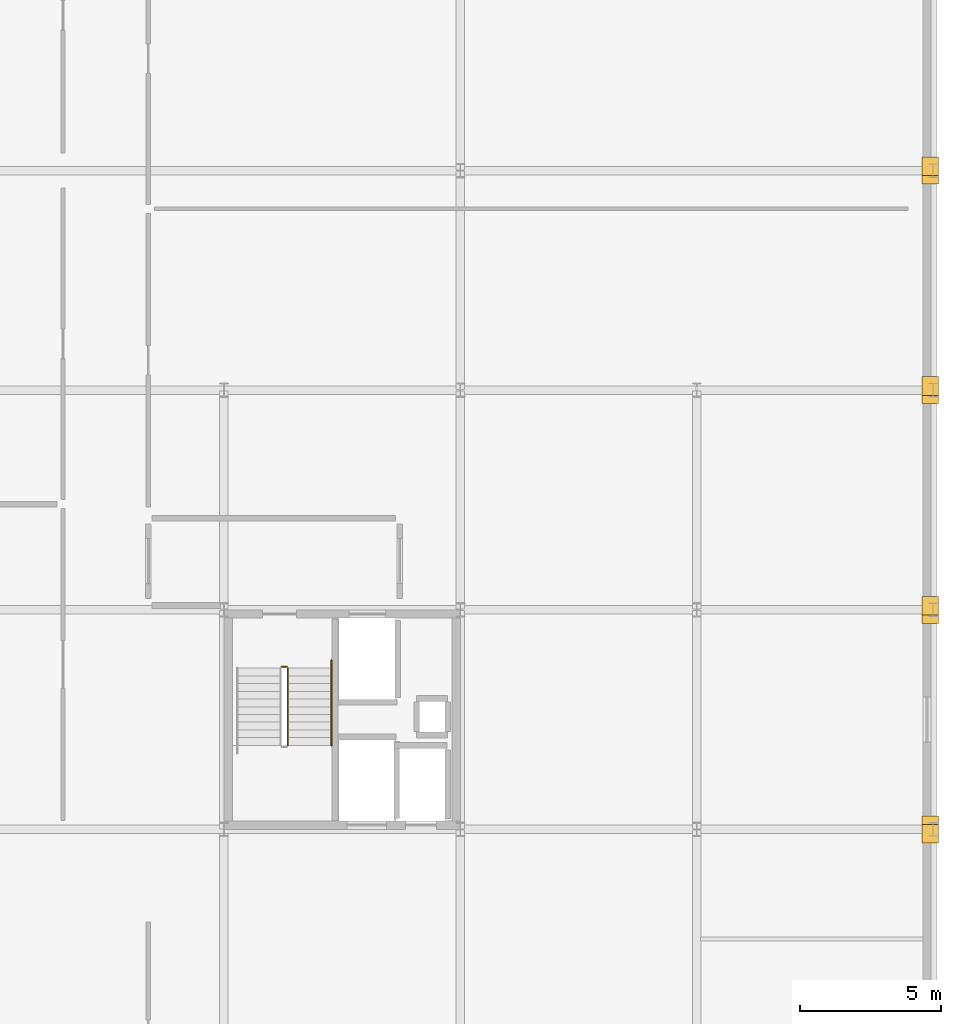
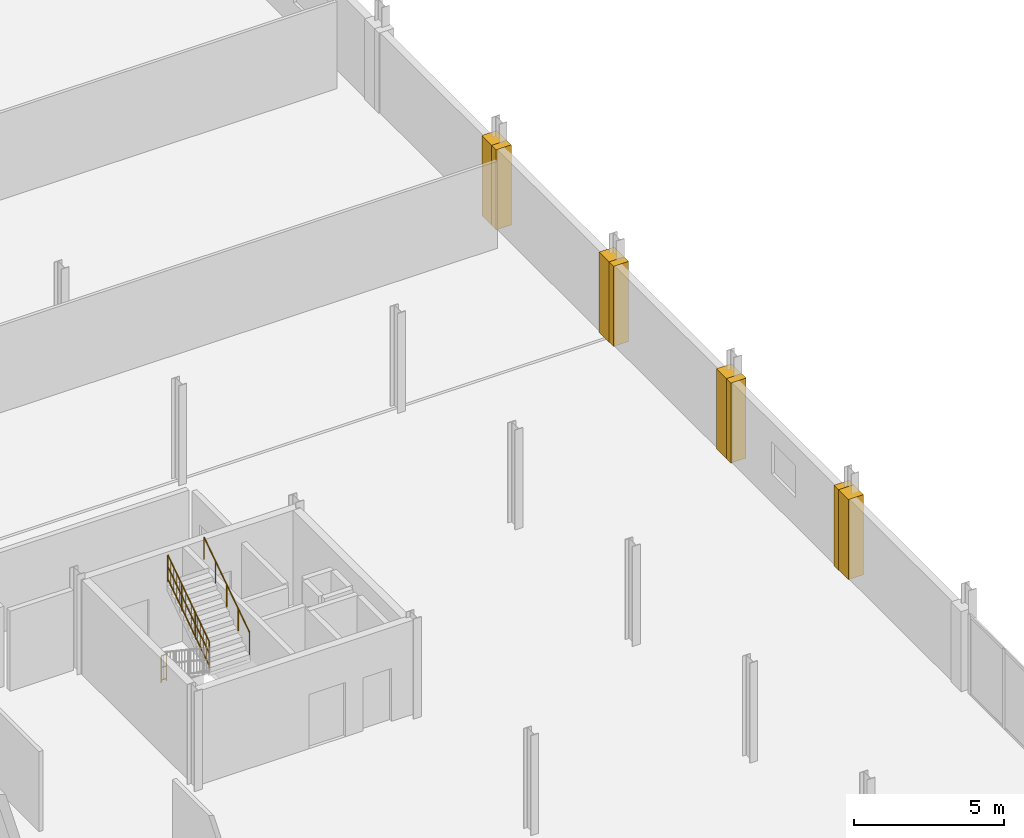
# One storey, part 40 of 41: 8 coverings, 3 railings.
"""IFC4 building model written with IfcOpenShell, lengths in metres."""

from ifc_helpers import new_model, si_unit, direction, frame, origin, origin_2d, place, context, subcontext, project, spatial, polyline, circle, outline, extrude, material, layer, layer_set, type_object, element, save


model = new_model("IFC4")

# Units and contexts
model_context = context("Model", 3, precision=1e-05, world=origin(), true_north=direction((0.0, 1.0)))
body_context = subcontext(model_context, "Body", "Model", "MODEL_VIEW")
ifc_project = project(units=[si_unit("LENGTHUNIT", "METRE"), si_unit("AREAUNIT", "SQUARE_METRE"), si_unit("VOLUMEUNIT", "CUBIC_METRE"), si_unit("PLANEANGLEUNIT", "RADIAN"), si_unit("MASSUNIT", "GRAM", prefix="KILO")], contexts=[model_context])

# Site, building, storey
site_placement = place(None, origin())
site = spatial("IfcSite", under=ifc_project, at=site_placement, CompositionType="ELEMENT")
building_placement = place(site_placement, origin())
building = spatial("IfcBuilding", under=site, at=building_placement, Name="Nabrawat Pavilion Hospital", CompositionType="ELEMENT")
storey_placement = place(building_placement, frame((0.0, 0.0, 18.89990234375)))
storey = spatial("IfcBuildingStorey", under=building, at=storey_placement, Name="L04", CompositionType="ELEMENT", Elevation=18.89990234375)

# Coverings
ifc_material_1 = material(Name="Precast concrete C40/50", Category="concrete")
ifc_layer_1 = layer(ifc_material_1, 0.360107421875, Name="Precast concrete C40/50")
ifc_layer_set_1 = layer_set([ifc_layer_1], Name="Precast concrete C40/50")
covering_type = type_object("IfcCoveringType", Name="Architectural Precast Column-Jamb Closure Reveal", PredefinedType="CLADDING", material=ifc_layer_set_1)
covering_1_placement = place(storey_placement, origin())
element("IfcCovering", 1, at=covering_1_placement, inside=storey, type_object=covering_type, Name="L04 Precast Facade Column-Jamb Weatherseal Closure 0568", PredefinedType="CLADDING", context=body_context, shape_type="SweptSolid", body=[
    extrude(outline(polyline([(193.3798828125, 69.719970703125), (193.3798828125, 70.3798828125), (192.800048828125, 70.3798828125), (192.800048828125, 69.719970703125), (193.3798828125, 69.719970703125)])), origin(), (0.0, 0.0, 1.0), 3.25),
])
covering_2_placement = place(storey_placement, origin())
element("IfcCovering", 2, at=covering_2_placement, inside=storey, type_object=covering_type, Name="L04 Precast Facade Column-Jamb Weatherseal Closure 0569", PredefinedType="CLADDING", context=body_context, shape_type="SweptSolid", body=[
    extrude(outline(polyline([(193.3798828125, 70.02001953125), (193.3798828125, 70.679931640625), (192.800048828125, 70.679931640625), (192.800048828125, 70.02001953125), (193.3798828125, 70.02001953125)])), origin(), (0.0, 0.0, 1.0), 3.25),
])
covering_3_placement = place(storey_placement, origin())
element("IfcCovering", 3, at=covering_3_placement, inside=storey, type_object=covering_type, Name="L04 Precast Facade Column-Jamb Weatherseal Closure 0570", PredefinedType="CLADDING", context=body_context, shape_type="SweptSolid", body=[
    extrude(outline(polyline([(193.3798828125, 77.52001953125), (193.3798828125, 78.179931640625), (192.800048828125, 78.179931640625), (192.800048828125, 77.52001953125), (193.3798828125, 77.52001953125)])), origin(), (0.0, 0.0, 1.0), 3.25),
])
covering_4_placement = place(storey_placement, origin())
element("IfcCovering", 4, at=covering_4_placement, inside=storey, type_object=covering_type, Name="L04 Precast Facade Column-Jamb Weatherseal Closure 0571", PredefinedType="CLADDING", context=body_context, shape_type="SweptSolid", body=[
    extrude(outline(polyline([(193.3798828125, 77.820068359375), (193.3798828125, 78.47998046875), (192.800048828125, 78.47998046875), (192.800048828125, 77.820068359375), (193.3798828125, 77.820068359375)])), origin(), (0.0, 0.0, 1.0), 3.25),
])
covering_5_placement = place(storey_placement, origin())
element("IfcCovering", 5, at=covering_5_placement, inside=storey, type_object=covering_type, Name="L04 Precast Facade Column-Jamb Weatherseal Closure 0572", PredefinedType="CLADDING", context=body_context, shape_type="SweptSolid", body=[
    extrude(outline(polyline([(193.3798828125, 85.320068359375), (193.3798828125, 85.97998046875), (192.800048828125, 85.97998046875), (192.800048828125, 85.320068359375), (193.3798828125, 85.320068359375)])), origin(), (0.0, 0.0, 1.0), 3.25),
])
covering_6_placement = place(storey_placement, origin())
element("IfcCovering", 6, at=covering_6_placement, inside=storey, type_object=covering_type, Name="L04 Precast Facade Column-Jamb Weatherseal Closure 0573", PredefinedType="CLADDING", context=body_context, shape_type="SweptSolid", body=[
    extrude(outline(polyline([(193.3798828125, 85.6201171875), (193.3798828125, 86.280029296875), (192.800048828125, 86.280029296875), (192.800048828125, 85.6201171875), (193.3798828125, 85.6201171875)])), origin(), (0.0, 0.0, 1.0), 3.25),
])
covering_7_placement = place(storey_placement, origin())
element("IfcCovering", 7, at=covering_7_placement, inside=storey, type_object=covering_type, Name="L04 Precast Facade Column-Jamb Weatherseal Closure 0574", PredefinedType="CLADDING", context=body_context, shape_type="SweptSolid", body=[
    extrude(outline(polyline([(193.3798828125, 93.1201171875), (193.3798828125, 93.780029296875), (192.800048828125, 93.780029296875), (192.800048828125, 93.1201171875), (193.3798828125, 93.1201171875)])), origin(), (0.0, 0.0, 1.0), 3.25),
])
covering_8_placement = place(storey_placement, origin())
element("IfcCovering", 8, at=covering_8_placement, inside=storey, type_object=covering_type, Name="L04 Precast Facade Column-Jamb Weatherseal Closure 0575", PredefinedType="CLADDING", context=body_context, shape_type="SweptSolid", body=[
    extrude(outline(polyline([(193.3798828125, 93.419921875), (193.3798828125, 94.080078125), (192.800048828125, 94.080078125), (192.800048828125, 93.419921875), (193.3798828125, 93.419921875)])), origin(), (0.0, 0.0, 1.0), 3.25),
])

# Railings
ifc_material_2 = material(Name="Stainless Steel 316", Category="steel")
ifc_layer_2 = layer(ifc_material_2, 0.050048828125, Name="Stainless Steel 316")
ifc_layer_set_2 = layer_set([ifc_layer_2], Name="Stainless Steel 316")
railing_type_1 = type_object("IfcRailingType", Name="Stair Open-Well Safety Guardrail 1100", PredefinedType="GUARDRAIL", material=ifc_layer_set_2)
railing_1_placement = place(storey_placement, frame((170.27490234375, 73.179931640625, 2.209228515625)))
element("IfcRailing", 9, at=railing_1_placement, inside=storey, type_object=railing_type_1, Name="L04 ST-06 stair guard 3", PredefinedType="GUARDRAIL", context=body_context, shape_type="SweptSolid", body=[
    extrude(circle(Radius=0.02392578125, at=origin_2d()), frame((0.0, 0.0, 1.076171875), z_axis=(0.0, 0.831004616288, 0.556265519071), x_axis=(-1.0, 0.0, 0.0)), (0.0, 0.0, 1.0), 3.309326171875),
    extrude(circle(Radius=0.02392578125, at=origin_2d()), frame((0.0, 0.0, 0.10009765625), z_axis=(0.0, 0.831004616288, 0.556265519071), x_axis=(-1.0, 0.0, 0.0)), (0.0, 0.0, 1.0), 3.309326171875),
    extrude(circle(Radius=0.02392578125, at=origin_2d()), frame((0.0, 0.0, 0.60498046875), z_axis=(0.0, 0.831004616288, 0.556265519071), x_axis=(-1.0, 0.0, 0.0)), (0.0, 0.0, 1.0), 3.309326171875),
    extrude(circle(Radius=0.008056640625, at=origin_2d()), frame((0.0, 0.196533203125, 0.2314453125)), (0.0, 0.0, 1.0), 0.951904296875),
    extrude(circle(Radius=0.008056640625, at=origin_2d()), frame((0.0, 0.392822265625, 0.363037109375)), (0.0, 0.0, 1.0), 0.951904296875),
    extrude(circle(Radius=0.008056640625, at=origin_2d()), frame((0.0, 0.58935546875, 0.494384765625)), (0.0, 0.0, 1.0), 0.951904296875),
    extrude(circle(Radius=0.008056640625, at=origin_2d()), frame((0.0, 0.78564453125, 0.6259765625)), (0.0, 0.0, 1.0), 0.951904296875),
    extrude(circle(Radius=0.008056640625, at=origin_2d()), frame((0.0, 0.982177734375, 0.75732421875)), (0.0, 0.0, 1.0), 0.951904296875),
    extrude(circle(Radius=0.008056640625, at=origin_2d()), frame((0.0, 1.178466796875, 0.888916015625)), (0.0, 0.0, 1.0), 0.951904296875),
    extrude(circle(Radius=0.008056640625, at=origin_2d()), frame((0.0, 1.375, 1.0205078125)), (0.0, 0.0, 1.0), 0.951904296875),
    extrude(circle(Radius=0.008056640625, at=origin_2d()), frame((0.0, 1.571533203125, 1.15185546875)), (0.0, 0.0, 1.0), 0.951904296875),
    extrude(circle(Radius=0.008056640625, at=origin_2d()), frame((0.0, 1.767822265625, 1.283447265625)), (0.0, 0.0, 1.0), 0.951904296875),
    extrude(circle(Radius=0.008056640625, at=origin_2d()), frame((0.0, 1.96435546875, 1.414794921875)), (0.0, 0.0, 1.0), 0.951904296875),
    extrude(circle(Radius=0.008056640625, at=origin_2d()), frame((0.0, 2.16064453125, 1.54638671875)), (0.0, 0.0, 1.0), 0.951904296875),
    extrude(circle(Radius=0.008056640625, at=origin_2d()), frame((0.0, 2.357177734375, 1.677734375)), (0.0, 0.0, 1.0), 0.951904296875),
    extrude(circle(Radius=0.008056640625, at=origin_2d()), frame((0.0, 2.553466796875, 1.809326171875)), (0.0, 0.0, 1.0), 0.951904296875),
    extrude(circle(Radius=0.02099609375, at=origin_2d()), origin(), (0.0, 0.0, 1.0), 1.052001953125),
    extrude(circle(Radius=0.02099609375, at=origin_2d()), frame((0.0, 0.916748046875, 0.613525390625)), (0.0, 0.0, 1.0), 1.052001953125),
    extrude(circle(Radius=0.02099609375, at=origin_2d()), frame((0.0, 1.833251953125, 1.227294921875)), (0.0, 0.0, 1.0), 1.052001953125),
    extrude(circle(Radius=0.02099609375, at=origin_2d()), frame((0.0, 2.75, 1.8408203125)), (0.0, 0.0, 1.0), 1.052001953125),
])
railing_2_placement = place(storey_placement, frame((170.050048828125, 75.97998046875, 0.0)))
element("IfcRailing", 10, at=railing_2_placement, inside=storey, type_object=railing_type_1, Name="L04 ST-06 stair guard 4", PredefinedType="GUARDRAIL", context=body_context, shape_type="SweptSolid", body=[
    extrude(circle(Radius=0.02392578125, at=origin_2d()), frame((0.0, 0.0, 1.076171875), z_axis=(1.0, 0.0, 0.0), x_axis=(0.0, 1.0, 0.0)), (0.0, 0.0, 1.0), 0.199951171875),
    extrude(circle(Radius=0.02392578125, at=origin_2d()), frame((0.0, 0.0, 0.10009765625), z_axis=(1.0, 0.0, 0.0), x_axis=(0.0, 1.0, 0.0)), (0.0, 0.0, 1.0), 0.199951171875),
    extrude(circle(Radius=0.02392578125, at=origin_2d()), frame((0.0, 0.0, 0.60498046875), z_axis=(1.0, 0.0, 0.0), x_axis=(0.0, 1.0, 0.0)), (0.0, 0.0, 1.0), 0.199951171875),
    extrude(circle(Radius=0.008056640625, at=origin_2d()), frame((0.10009765625, 0.0, 0.10009765625)), (0.0, 0.0, 1.0), 0.951904296875),
    extrude(circle(Radius=0.02099609375, at=origin_2d()), origin(), (0.0, 0.0, 1.0), 1.052001953125),
    extrude(circle(Radius=0.02099609375, at=origin_2d()), frame((0.199951171875, 0.0, 0.0)), (0.0, 0.0, 1.0), 1.052001953125),
])
ifc_layer_3 = layer(ifc_material_2, 0.044921875, Name="Stainless Steel 316")
ifc_layer_set_3 = layer_set([ifc_layer_3], Name="Stainless Steel 316")
railing_type_2 = type_object("IfcRailingType", Name="Stair Pitch Continuous Handrail 920", PredefinedType="HANDRAIL", material=ifc_layer_set_3)
railing_3_placement = place(storey_placement, frame((171.824951171875, 73.179931640625, 2.213134765625)))
element("IfcRailing", 11, at=railing_3_placement, inside=storey, type_object=railing_type_2, Name="L04 ST-06 stair handrail 2", PredefinedType="HANDRAIL", context=body_context, shape_type="SweptSolid", body=[
    extrude(circle(Radius=0.02392578125, at=origin_2d()), frame((0.0, 0.0, 0.89599609375), z_axis=(0.0, 0.830986065984, 0.556293230356), x_axis=(-1.0, 0.0, 0.0)), (0.0, 0.0, 1.0), 3.640380859375),
    extrude(circle(Radius=0.02099609375, at=origin_2d()), origin(), (0.0, 0.0, 1.0), 0.871826171875),
    extrude(circle(Radius=0.02099609375, at=origin_2d()), frame((0.0, 0.75634765625, 0.50634765625)), (0.0, 0.0, 1.0), 0.871826171875),
    extrude(circle(Radius=0.02099609375, at=origin_2d()), frame((0.0, 1.5126953125, 1.0126953125)), (0.0, 0.0, 1.0), 0.871826171875),
    extrude(circle(Radius=0.02099609375, at=origin_2d()), frame((0.0, 2.268798828125, 1.518798828125)), (0.0, 0.0, 1.0), 0.871826171875),
    extrude(circle(Radius=0.02099609375, at=origin_2d()), frame((0.0, 3.025146484375, 2.025146484375)), (0.0, 0.0, 1.0), 0.871826171875),
])

save(model, "model.ifc")
